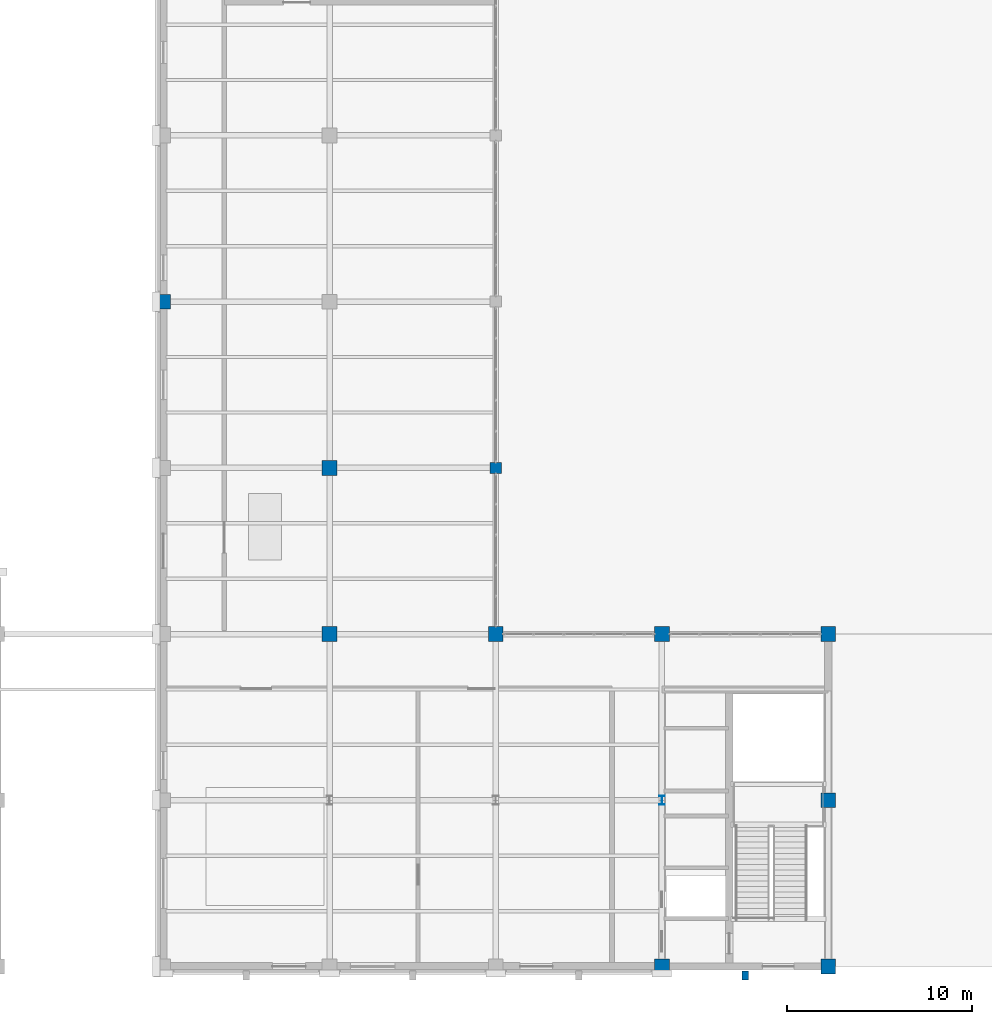
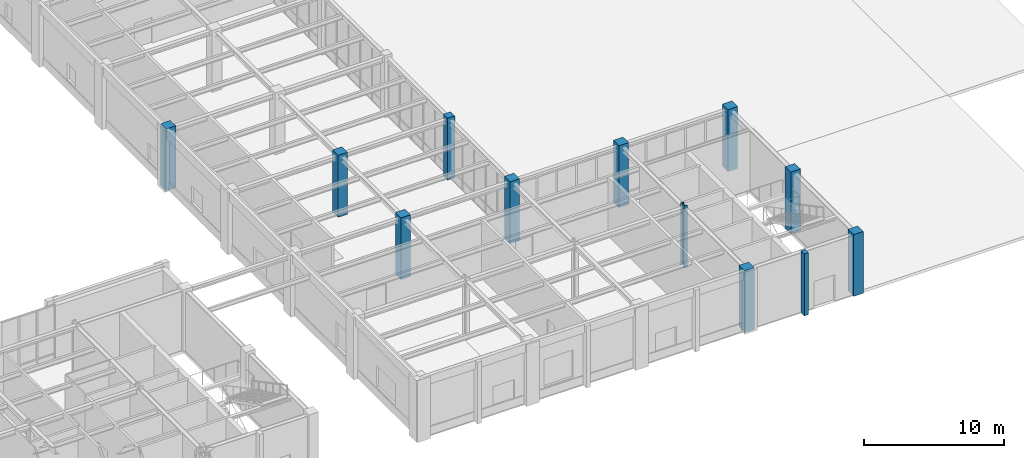
# One storey, part 5 of 77: 12 columns.
"""IFC4 building model written with IfcOpenShell, lengths in metres."""

from ifc_helpers import new_model, si_unit, direction, frame, origin, origin_2d, place, context, subcontext, project, spatial, rectangle, i_section, extrude, material, material_profile, profile_set, type_object, element, save


model = new_model("IFC4")

# Units and contexts
model_context = context("Model", 3, precision=1e-05, world=origin(), true_north=direction((0.0, 1.0)))
body_context = subcontext(model_context, "Body", "Model", "MODEL_VIEW")
ifc_project = project(units=[si_unit("LENGTHUNIT", "METRE"), si_unit("AREAUNIT", "SQUARE_METRE"), si_unit("VOLUMEUNIT", "CUBIC_METRE"), si_unit("PLANEANGLEUNIT", "RADIAN"), si_unit("MASSUNIT", "GRAM", prefix="KILO")], contexts=[model_context])

# Site, building, storey
site_placement = place(None, origin())
site = spatial("IfcSite", under=ifc_project, at=site_placement, CompositionType="ELEMENT")
building_placement = place(site_placement, origin())
building = spatial("IfcBuilding", under=site, at=building_placement, Name="Lykobir Media Centre", CompositionType="ELEMENT")
storey_placement = place(building_placement, origin())
storey = spatial("IfcBuildingStorey", under=building, at=storey_placement, Name="L00", CompositionType="ELEMENT", Elevation=0.0)

# Columns
ifc_material_1 = material(Name="Honed Travertine Stone", Category="masonry")
ifc_material_profile_1 = material_profile(ifc_material_1, rectangle(XDim=0.35009765625, YDim=0.5, at=origin_2d()), Name="RC PILASTER 500x350")
ifc_profile_set_1 = profile_set([ifc_material_profile_1], Name="Honed Travertine Stone")
column_type_1 = type_object("IfcColumnType", Name="PIL-500", PredefinedType="PILASTER", material=ifc_profile_set_1)
column_1_placement = place(storey_placement, frame((121.5, -0.47998046875, 0.0), z_axis=(0.0, 0.0, 1.0), x_axis=(1.0, 0.0, 0.0)))
element("IfcColumn", 1, at=column_1_placement, inside=storey, type_object=column_type_1, Name="South Revak L00 colonnade pier 121.5", PredefinedType="PILASTER", context=body_context, shape_type="SweptSolid", body=[
    extrude(rectangle(XDim=0.35009765625, YDim=0.5, at=origin_2d()), origin(), (0.0, 0.0, 1.0), 5.39990234375),
])
ifc_material_2 = material(Name="Concrete C40/50", Category="concrete")
ifc_material_profile_2 = material_profile(ifc_material_2, rectangle(XDim=0.60009765625, YDim=0.60009765625, at=origin_2d()), Name="RC 600x600")
ifc_profile_set_2 = profile_set([ifc_material_profile_2], Name="Concrete C40/50")
column_type_2 = type_object("IfcColumnType", Name="RC-C600", PredefinedType="COLUMN", material=ifc_profile_set_2)
column_2_placement = place(storey_placement, frame((108.0, 27.0, 0.0), z_axis=(0.0, 0.0, 1.0), x_axis=(1.0, 0.0, 0.0)))
element("IfcColumn", 2, at=column_2_placement, inside=storey, type_object=column_type_2, Name="Column COL-L00-1080-0270", PredefinedType="COLUMN", context=body_context, shape_type="SweptSolid", body=[
    extrude(rectangle(XDim=0.60009765625, YDim=0.60009765625, at=origin_2d()), origin(), (0.0, 0.0, 1.0), 5.39990234375),
])
ifc_material_profile_3 = material_profile(ifc_material_2, rectangle(XDim=0.800048828125, YDim=0.800048828125, at=origin_2d()), Name="RC 800x800")
ifc_profile_set_3 = profile_set([ifc_material_profile_3], Name="Concrete C40/50")
column_type_3 = type_object("IfcColumnType", Name="RC-C800", PredefinedType="COLUMN", material=ifc_profile_set_3)
for number, where, z_axis, x_axis, name in (
    (3, (99.0, 18.0, 0.0), (0.0, 0.0, 1.0), (1.0, 0.0, 0.0), "Column COL-L00-0990-0180"),
    (4, (99.0, 27.0, 0.0), (0.0, 0.0, 1.0), (1.0, 0.0, 0.0), "Column COL-L00-0990-0270"),
    (5, (108.0, 18.0, 0.0), (0.0, 0.0, 1.0), (1.0, 0.0, 0.0), "Column COL-L00-1080-0180"),
    (6, (117.0, 18.0, 0.0), (0.0, 0.0, 1.0), (1.0, 0.0, 0.0), "Column COL-L00-1170-0180"),
    (7, (126.0, 9.0, 0.0), (0.0, 0.0, 1.0), (1.0, 0.0, 0.0), "Column COL-L00-1260-0090"),
    (8, (126.0, 18.0, 0.0), (0.0, 0.0, 1.0), (1.0, 0.0, 0.0), "Column COL-L00-1260-0180"),
):
    element("IfcColumn", number, at=place(storey_placement, frame(where, z_axis=z_axis, x_axis=x_axis)), inside=storey, type_object=column_type_3, Name=name, PredefinedType="COLUMN", context=body_context, shape_type="SweptSolid", body=[
        extrude(rectangle(XDim=0.800048828125, YDim=0.800048828125, at=origin_2d()), origin(), (0.0, 0.0, 1.0), 5.39990234375),
    ])
ifc_material_profile_4 = material_profile(ifc_material_2, rectangle(XDim=0.800048828125, YDim=0.800048828125, at=origin_2d()), Name="RC 800x800")
ifc_profile_set_4 = profile_set([ifc_material_profile_4], Name="Concrete C40/50")
column_type_4 = type_object("IfcColumnType", Name="RC-C800-E", PredefinedType="COLUMN", material=ifc_profile_set_4)
for number, where, z_axis, x_axis, name in (
    (9, (90.0, 36.0, 0.0), (0.0, 0.0, 1.0), (1.0, 0.0, 0.0), "Column COL-L00-0900-0360"),
    (10, (117.0, 0.0, 0.0), (0.0, 0.0, 1.0), (1.0, 0.0, 0.0), "Column COL-L00-1170-0000"),
    (11, (126.0, 0.0, 0.0), (0.0, 0.0, 1.0), (1.0, 0.0, 0.0), "Column COL-L00-1260-0000"),
):
    element("IfcColumn", number, at=place(storey_placement, frame(where, z_axis=z_axis, x_axis=x_axis)), inside=storey, type_object=column_type_4, Name=name, PredefinedType="COLUMN", context=body_context, shape_type="SweptSolid", body=[
        extrude(rectangle(XDim=0.800048828125, YDim=0.800048828125, at=origin_2d()), origin(), (0.0, 0.0, 1.0), 5.39990234375),
    ])
ifc_material_3 = material(Name="Steel S355", Category="steel")
ifc_material_profile_5 = material_profile(ifc_material_3, i_section(OverallWidth=0.300048828125, OverallDepth=0.5, WebThickness=0.014404296875, FlangeThickness=0.028076171875, at=origin_2d()), Name="HEB 500")
ifc_profile_set_5 = profile_set([ifc_material_profile_5], Name="Steel S355")
column_type_5 = type_object("IfcColumnType", Name="SC-HEB500", PredefinedType="COLUMN", material=ifc_profile_set_5)
column_3_placement = place(storey_placement, frame((117.0, 9.0, 0.0), z_axis=(0.0, 0.0, 1.0), x_axis=(1.0, 0.0, 0.0)))
element("IfcColumn", 12, at=column_3_placement, inside=storey, type_object=column_type_5, Name="Column COL-L00-1170-0090", PredefinedType="COLUMN", context=body_context, shape_type="SweptSolid", body=[
    extrude(i_section(OverallWidth=0.300048828125, OverallDepth=0.5, WebThickness=0.014404296875, FlangeThickness=0.028076171875, at=origin_2d()), origin(), (0.0, 0.0, 1.0), 5.39990234375),
])

save(model, "model.ifc")
